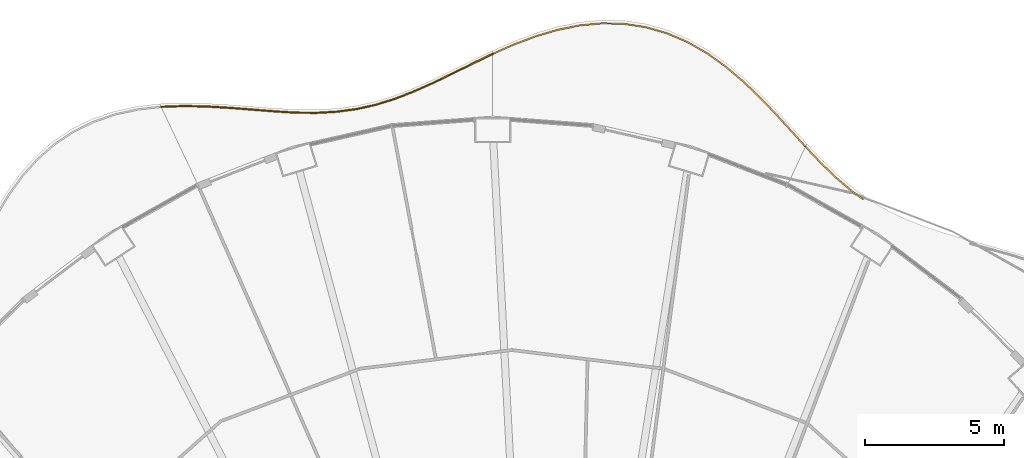
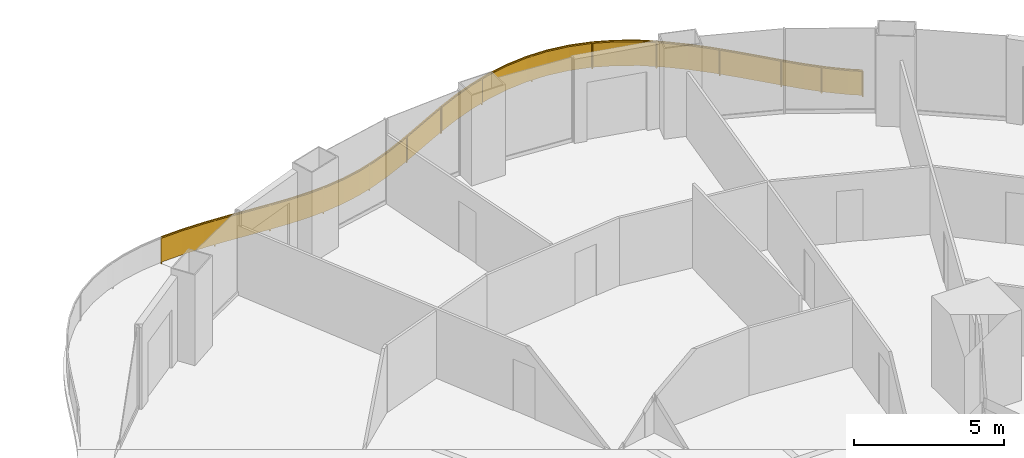
# One storey, part 22 of 22: 3 railings.
"""IFC4 building model written with IfcOpenShell, lengths in metres."""

from ifc_helpers import new_model, si_unit, direction, frame, origin, origin_2d, place, context, subcontext, project, spatial, polyline, rectangle, outline, extrude, material, type_object, element, save


model = new_model("IFC4")

# Units and contexts
model_context = context("Model", 3, precision=1e-05, world=origin(), true_north=direction((0.0, 1.0)))
body_context = subcontext(model_context, "Body", "Model", "MODEL_VIEW")
ifc_project = project(units=[si_unit("LENGTHUNIT", "METRE"), si_unit("AREAUNIT", "SQUARE_METRE"), si_unit("VOLUMEUNIT", "CUBIC_METRE"), si_unit("PLANEANGLEUNIT", "RADIAN"), si_unit("MASSUNIT", "GRAM", prefix="KILO")], contexts=[model_context])

# Site, building, storey
site_placement = place(None, origin())
site = spatial("IfcSite", under=ifc_project, at=site_placement, CompositionType="ELEMENT")
building_placement = place(site_placement, origin())
building = spatial("IfcBuilding", under=site, at=building_placement, Name="Nagisa Residences", CompositionType="ELEMENT")
storey_placement = place(building_placement, frame((0.0, 0.0, 73.300048828125)))
storey = spatial("IfcBuildingStorey", under=building, at=storey_placement, Name="L17", CompositionType="ELEMENT", Elevation=73.300048828125)

# Railings
ifc_material = material(Name="Stainless steel 316", Category="steel")
railing_type = type_object("IfcRailingType", Name="BALCONY GUARD 1100", PredefinedType="BALUSTRADE", material=ifc_material)
railing_1_placement = place(storey_placement, frame((11.4697265625, 31.6611328125, 0.0)))
element("IfcRailing", 1, at=railing_1_placement, inside=storey, type_object=railing_type, Name="guard:L17:bal02-1", PredefinedType="BALUSTRADE", context=body_context, shape_type="SweptSolid", body=[
    extrude(outline(polyline([(-0.400634765625, 0.255615234375), (-0.0146484375, -0.020263671875), (0.0146484375, 0.020263671875), (-0.369873046875, 0.295166015625), (-0.94140625, 0.779541015625), (-1.496826171875, 1.31591796875), (-2.039306640625, 1.891845703125), (-2.075927734375, 1.857666015625), (-1.532470703125, 1.28076171875), (-0.97509765625, 0.742431640625), (-0.400634765625, 0.255615234375)])), frame((0.0, 0.0, 1.050048828125)), (0.0, 0.0, 1.0), 0.050048828125),
    extrude(outline(polyline([(-0.3896484375, 0.269775390625), (-0.004150390625, -0.005615234375), (0.004150390625, 0.005615234375), (-0.380859375, 0.281005859375), (-0.95361328125, 0.76611328125), (-1.509765625, 1.30322265625), (-2.052490234375, 1.879638671875), (-2.062744140625, 1.869873046875), (-1.51953125, 1.29345703125), (-0.962890625, 0.755859375), (-0.3896484375, 0.269775390625)])), frame((0.0, 0.0, 0.06005859375)), (0.0, 0.0, 1.0), 0.989990234375),
    extrude(rectangle(XDim=0.0400390625, YDim=0.0400390625, at=origin_2d()), origin(), (0.0, 0.0, 1.0), 1.050048828125),
    extrude(rectangle(XDim=0.0400390625, YDim=0.0400390625, at=origin_2d()), frame((-1.080810546875, 0.87939453125, 0.0)), (0.0, 0.0, 1.0), 1.050048828125),
    extrude(rectangle(XDim=0.0400390625, YDim=0.0400390625, at=origin_2d()), frame((-2.0576171875, 1.874755859375, 0.0)), (0.0, 0.0, 1.0), 1.050048828125),
])
railing_2_placement = place(storey_placement, frame((9.412109375, 33.535888671875, 0.0)))
element("IfcRailing", 2, at=railing_2_placement, inside=storey, type_object=railing_type, Name="guard:L17:bal03-0", PredefinedType="BALUSTRADE", context=body_context, shape_type="SweptSolid", body=[
    extrude(outline(polyline([(-0.54541015625, 0.567138671875), (-0.0185546875, -0.016845703125), (0.0185546875, 0.016845703125), (-0.50830078125, 0.600830078125), (-1.057373046875, 1.20068359375), (-1.628662109375, 1.796875), (-2.22900390625, 2.3701171875), (-2.862548828125, 2.903076171875), (-3.515380859375, 3.37255859375), (-4.2197265625, 3.774169921875), (-4.956787109375, 4.08935546875), (-5.721435546875, 4.309326171875), (-6.507080078125, 4.429931640625), (-7.290283203125, 4.447998046875), (-8.093994140625, 4.373046875), (-8.896728515625, 4.211669921875), (-9.690673828125, 3.976318359375), (-10.47021484375, 3.68310546875), (-11.222412109375, 3.349853515625), (-11.201904296875, 3.303955078125), (-10.451171875, 3.63671875), (-9.674560546875, 3.928955078125), (-8.884521484375, 4.162841796875), (-8.086669921875, 4.3232421875), (-7.288330078125, 4.397705078125), (-6.511474609375, 4.380126953125), (-5.732177734375, 4.260498046875), (-4.973388671875, 4.0419921875), (-4.2421875, 3.729248046875), (-3.542236328125, 3.33056640625), (-2.893310546875, 2.863525390625), (-2.26220703125, 2.3330078125), (-1.663818359375, 1.76123046875), (-1.093994140625, 1.16650390625), (-0.54541015625, 0.567138671875)])), frame((0.0, 0.0, 1.050048828125)), (0.0, 0.0, 1.0), 0.050048828125),
    extrude(outline(polyline([(-0.531982421875, 0.579345703125), (-0.005126953125, -0.004638671875), (0.005126953125, 0.004638671875), (-0.521728515625, 0.588623046875), (-1.070556640625, 1.1884765625), (-1.641357421875, 1.783935546875), (-2.240966796875, 2.356689453125), (-2.87353515625, 2.888916015625), (-3.52490234375, 3.357421875), (-4.227783203125, 3.758056640625), (-4.962646484375, 4.072265625), (-5.725341796875, 4.291748046875), (-6.508544921875, 4.412109375), (-7.28955078125, 4.429931640625), (-8.09130859375, 4.35498046875), (-8.892333984375, 4.194091796875), (-9.684814453125, 3.959228515625), (-10.46337890625, 3.66650390625), (-11.215087890625, 3.333251953125), (-11.209228515625, 3.320556640625), (-10.4580078125, 3.6533203125), (-9.680419921875, 3.946044921875), (-8.888916015625, 4.180419921875), (-8.08935546875, 4.34130859375), (-7.2890625, 4.415771484375), (-6.510009765625, 4.39794921875), (-5.728271484375, 4.278076171875), (-4.967529296875, 4.05908203125), (-4.234130859375, 3.745361328125), (-3.53271484375, 3.345703125), (-2.88232421875, 2.877685546875), (-2.250244140625, 2.346435546875), (-1.651123046875, 1.774169921875), (-1.080810546875, 1.1787109375), (-0.531982421875, 0.579345703125)])), frame((0.0, 0.0, 0.06005859375)), (0.0, 0.0, 1.0), 0.989990234375),
    extrude(rectangle(XDim=0.0400390625, YDim=0.0400390625, at=origin_2d()), origin(), (0.0, 0.0, 1.0), 1.050048828125),
    extrude(rectangle(XDim=0.0400390625, YDim=0.0400390625, at=origin_2d()), frame((-1.462646484375, 1.58740234375, 0.0)), (0.0, 0.0, 1.0), 1.050048828125),
    extrude(rectangle(XDim=0.0400390625, YDim=0.0400390625, at=origin_2d()), frame((-3.0712890625, 3.0224609375, 0.0)), (0.0, 0.0, 1.0), 1.050048828125),
    extrude(rectangle(XDim=0.0400390625, YDim=0.0400390625, at=origin_2d()), frame((-4.95458984375, 4.061279296875, 0.0)), (0.0, 0.0, 1.0), 1.050048828125),
    extrude(rectangle(XDim=0.0400390625, YDim=0.0400390625, at=origin_2d()), frame((-7.072021484375, 4.41796875, 0.0)), (0.0, 0.0, 1.0), 1.050048828125),
    extrude(rectangle(XDim=0.0400390625, YDim=0.0400390625, at=origin_2d()), frame((-9.197998046875, 4.09619140625, 0.0)), (0.0, 0.0, 1.0), 1.050048828125),
    extrude(rectangle(XDim=0.0400390625, YDim=0.0400390625, at=origin_2d()), frame((-11.212158203125, 3.326904296875, 0.0)), (0.0, 0.0, 1.0), 1.050048828125),
])
railing_3_placement = place(storey_placement, frame((-1.800048828125, 36.86279296875, 0.0)))
element("IfcRailing", 3, at=railing_3_placement, inside=storey, type_object=railing_type, Name="guard:L17:bal04-0", PredefinedType="BALUSTRADE", context=body_context, shape_type="SweptSolid", body=[
    extrude(outline(polyline([(-0.72119140625, -0.376220703125), (0.010986328125, -0.0224609375), (-0.010986328125, 0.0224609375), (-0.7431640625, -0.331298828125), (-1.465087890625, -0.687255859375), (-2.17041015625, -1.027099609375), (-2.86279296875, -1.3349609375), (-3.54833984375, -1.59814453125), (-4.21533203125, -1.80517578125), (-4.906005859375, -1.95654296875), (-5.60888671875, -2.049560546875), (-6.329833984375, -2.088134765625), (-7.072265625, -2.0810546875), (-7.821533203125, -2.034423828125), (-8.610107421875, -1.973388671875), (-9.41845703125, -1.909423828125), (-10.24072265625, -1.860595703125), (-11.069580078125, -1.843505859375), (-11.88720703125, -1.8720703125), (-11.88525390625, -1.921875), (-11.069091796875, -1.893798828125), (-10.24267578125, -1.910400390625), (-9.421875, -1.959228515625), (-8.614013671875, -2.023193359375), (-7.824951171875, -2.084228515625), (-7.07421875, -2.130859375), (-6.328857421875, -2.138427734375), (-5.6044921875, -2.099365234375), (-4.897216796875, -2.005859375), (-4.20263671875, -1.853515625), (-3.53173828125, -1.6455078125), (-2.84375, -1.38134765625), (-2.1494140625, -1.072509765625), (-1.443115234375, -0.732177734375), (-0.72119140625, -0.376220703125)])), frame((0.0, 0.0, 1.050048828125)), (0.0, 0.0, 1.0), 0.050048828125),
    extrude(outline(polyline([(-0.72900390625, -0.360107421875), (0.0029296875, -0.00634765625), (-0.0029296875, 0.00634765625), (-0.7353515625, -0.347412109375), (-1.457275390625, -0.703369140625), (-2.162841796875, -1.04345703125), (-2.85595703125, -1.3515625), (-3.542236328125, -1.615234375), (-4.210693359375, -1.822509765625), (-4.90283203125, -1.974365234375), (-5.607421875, -2.0673828125), (-6.32958984375, -2.106201171875), (-7.072998046875, -2.098876953125), (-7.82275390625, -2.05224609375), (-8.611572265625, -1.9912109375), (-9.419677734375, -1.92724609375), (-10.241455078125, -1.87841796875), (-11.0693359375, -1.861572265625), (-11.886474609375, -1.889892578125), (-11.885986328125, -1.904052734375), (-11.0693359375, -1.875732421875), (-10.241943359375, -1.892578125), (-9.420654296875, -1.94140625), (-8.612548828125, -2.00537109375), (-7.82373046875, -2.06640625), (-7.073486328125, -2.113037109375), (-6.3291015625, -2.120361328125), (-5.60595703125, -2.08154296875), (-4.900390625, -1.988037109375), (-4.207275390625, -1.836181640625), (-3.537841796875, -1.62841796875), (-2.8505859375, -1.36474609375), (-2.156982421875, -1.05615234375), (-1.450927734375, -0.716064453125), (-0.72900390625, -0.360107421875)])), frame((0.0, 0.0, 0.06005859375)), (0.0, 0.0, 1.0), 0.989990234375),
    extrude(rectangle(XDim=0.0400390625, YDim=0.0400390625, at=origin_2d()), origin(), (0.0, 0.0, 1.0), 1.050048828125),
    extrude(rectangle(XDim=0.0400390625, YDim=0.0400390625, at=origin_2d()), frame((-1.843994140625, -0.897705078125, 0.0)), (0.0, 0.0, 1.0), 1.050048828125),
    extrude(rectangle(XDim=0.0400390625, YDim=0.0400390625, at=origin_2d()), frame((-3.73681640625, -1.682861328125, 0.0)), (0.0, 0.0, 1.0), 1.050048828125),
    extrude(rectangle(XDim=0.0400390625, YDim=0.0400390625, at=origin_2d()), frame((-5.74267578125, -2.081787109375, 0.0)), (0.0, 0.0, 1.0), 1.050048828125),
    extrude(rectangle(XDim=0.0400390625, YDim=0.0400390625, at=origin_2d()), frame((-7.791259765625, -2.061279296875, 0.0)), (0.0, 0.0, 1.0), 1.050048828125),
    extrude(rectangle(XDim=0.0400390625, YDim=0.0400390625, at=origin_2d()), frame((-9.836669921875, -1.90966796875, 0.0)), (0.0, 0.0, 1.0), 1.050048828125),
    extrude(rectangle(XDim=0.0400390625, YDim=0.0400390625, at=origin_2d()), frame((-11.88623046875, -1.89697265625, 0.0)), (0.0, 0.0, 1.0), 1.050048828125),
])

save(model, "model.ifc")
